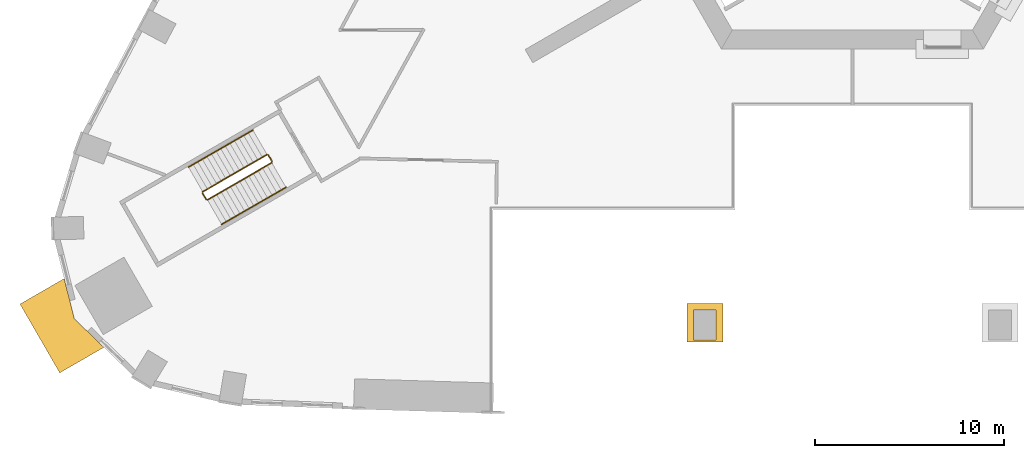
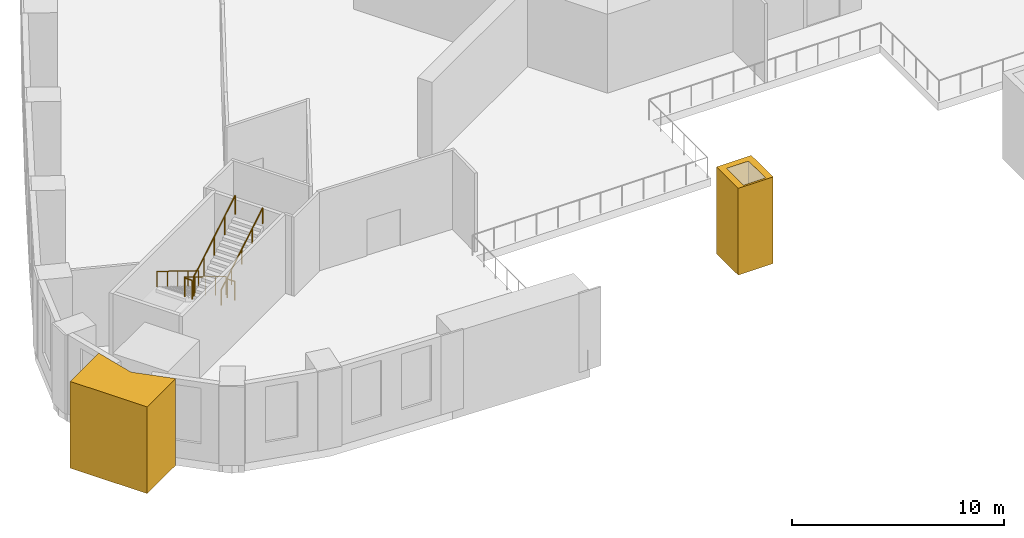
# One storey, part 12 of 16: 6 railings, 2 coverings.
"""IFC4 building model written with IfcOpenShell, lengths in metres."""

from ifc_helpers import new_model, si_unit, direction, frame, origin, origin_2d, place, context, subcontext, project, spatial, polyline, circle, outline, extrude, material, type_object, element, save


model = new_model("IFC4")

# Units and contexts
model_context = context("Model", 3, precision=1e-05, world=origin(), true_north=direction((0.0, 1.0)))
body_context = subcontext(model_context, "Body", "Model", "MODEL_VIEW")
ifc_project = project(units=[si_unit("LENGTHUNIT", "METRE"), si_unit("AREAUNIT", "SQUARE_METRE"), si_unit("VOLUMEUNIT", "CUBIC_METRE"), si_unit("PLANEANGLEUNIT", "RADIAN"), si_unit("MASSUNIT", "GRAM", prefix="KILO")], contexts=[model_context])

# Site, building, storey
site_placement = place(None, origin())
site = spatial("IfcSite", under=ifc_project, at=site_placement, CompositionType="ELEMENT")
building_placement = place(site_placement, origin())
building = spatial("IfcBuilding", under=site, at=building_placement, Name="Entoto Arch Interchange Tower", CompositionType="ELEMENT")
storey_placement = place(building_placement, frame((0.0, 0.0, 15.0)))
storey = spatial("IfcBuildingStorey", under=building, at=storey_placement, Name="L02", CompositionType="ELEMENT", Elevation=15.0)

# Coverings
ifc_material_1 = material(Name="Board-marked precast concrete C50/60", Category="concrete")
covering_type = type_object("IfcCoveringType", Name="PRECAST FRAME COURSE", PredefinedType="CLADDING", material=ifc_material_1)
covering_1_placement = place(storey_placement, frame((0.0, 0.0, -0.449951171875)))
element("IfcCovering", 1, at=covering_1_placement, inside=storey, type_object=covering_type, Name="Podium corner pier SW L02", PredefinedType="CLADDING", context=body_context, shape_type="SweptSolid", body=[
    extrude(outline(polyline([(-44.01611328125, -22.987060546875), (-41.679931640625, -21.638916015625), (-41.14697265625, -23.756103515625), (-39.580078125, -25.27587890625), (-41.916015625, -26.625), (-44.01611328125, -22.987060546875)])), origin(), (0.0, 0.0, 1.0), 5.0),
])
covering_2_placement = place(storey_placement, frame((0.0, 0.0, -0.449951171875)))
element("IfcCovering", 2, at=covering_2_placement, inside=storey, type_object=covering_type, Name="Gate pier L02", PredefinedType="CLADDING", context=body_context, shape_type="SweptSolid", body=[
    extrude(outline(polyline([(-8.75, -22.949951171875), (-6.85009765625, -22.949951171875), (-6.85009765625, -24.9990234375), (-8.75, -24.9990234375), (-8.75, -22.949951171875)]), holes=[polyline([(-8.39990234375, -23.300048828125), (-8.39990234375, -24.89990234375), (-7.199951171875, -24.89990234375), (-7.199951171875, -23.300048828125), (-8.39990234375, -23.300048828125)])]), origin(), (0.0, 0.0, 1.0), 5.0),
])

# Railings
ifc_material_2 = material(Name="Stainless steel 1.4301", Category="steel")
railing_type_1 = type_object("IfcRailingType", Name="STAIR GUARD 1100 STEEL", PredefinedType="GUARDRAIL", material=ifc_material_2)
railing_1_placement = place(storey_placement, frame((-30.95556640625, -15.08349609375, 0.166748046875)))
element("IfcRailing", 3, at=railing_1_placement, inside=storey, type_object=railing_type_1, Name="L02 PST-SW stair guard 1", PredefinedType="GUARDRAIL", context=body_context, shape_type="SweptSolid", body=[
    extrude(circle(Radius=0.02392578125, at=origin_2d()), frame((0.0, 0.0, 1.076171875), z_axis=(-0.744174672596, -0.429646477641, 0.511476256455), x_axis=(0.499997407846, -0.86602690036, 0.0)), (0.0, 0.0, 1.0), 4.561767578125),
    extrude(circle(Radius=0.02099609375, at=origin_2d()), origin(), (0.0, 0.0, 1.0), 1.052001953125),
    extrude(circle(Radius=0.02099609375, at=origin_2d()), frame((-0.8486328125, -0.489990234375, 0.583251953125)), (0.0, 0.0, 1.0), 1.052001953125),
    extrude(circle(Radius=0.02099609375, at=origin_2d()), frame((-1.697265625, -0.97998046875, 1.16650390625)), (0.0, 0.0, 1.0), 1.052001953125),
    extrude(circle(Radius=0.02099609375, at=origin_2d()), frame((-2.546142578125, -1.469970703125, 1.75)), (0.0, 0.0, 1.0), 1.052001953125),
    extrude(circle(Radius=0.02099609375, at=origin_2d()), frame((-3.394775390625, -1.9599609375, 2.333251953125)), (0.0, 0.0, 1.0), 1.052001953125),
])
railing_2_placement = place(storey_placement, frame((-34.36865234375, -17.11181640625, 2.5)))
element("IfcRailing", 4, at=railing_2_placement, inside=storey, type_object=railing_type_1, Name="L02 PST-SW stair guard 2", PredefinedType="GUARDRAIL", context=body_context, shape_type="SweptSolid", body=[
    extrude(circle(Radius=0.02392578125, at=origin_2d()), frame((0.0, 0.0, 1.076171875), z_axis=(0.499880961361, -0.866094119867, 0.0), x_axis=(0.866094119867, 0.499880961361, 0.0)), (0.0, 0.0, 1.0), 0.39990234375),
    extrude(circle(Radius=0.02099609375, at=origin_2d()), origin(), (0.0, 0.0, 1.0), 1.052001953125),
    extrude(circle(Radius=0.02099609375, at=origin_2d()), frame((0.199951171875, -0.346435546875, 0.0)), (0.0, 0.0, 1.0), 1.052001953125),
])
railing_3_placement = place(storey_placement, frame((-34.100341796875, -17.4765625, 2.666748046875)))
element("IfcRailing", 5, at=railing_3_placement, inside=storey, type_object=railing_type_1, Name="L02 PST-SW stair guard 3", PredefinedType="GUARDRAIL", context=body_context, shape_type="SweptSolid", body=[
    extrude(circle(Radius=0.02392578125, at=origin_2d()), frame((0.0, 0.0, 1.076171875), z_axis=(0.744174672596, 0.429646477641, 0.511476256455), x_axis=(-0.499997407846, 0.86602690036, 0.0)), (0.0, 0.0, 1.0), 4.561767578125),
    extrude(circle(Radius=0.02099609375, at=origin_2d()), origin(), (0.0, 0.0, 1.0), 1.052001953125),
    extrude(circle(Radius=0.02099609375, at=origin_2d()), frame((0.8486328125, 0.489990234375, 0.583251953125)), (0.0, 0.0, 1.0), 1.052001953125),
    extrude(circle(Radius=0.02099609375, at=origin_2d()), frame((1.697265625, 0.97998046875, 1.16650390625)), (0.0, 0.0, 1.0), 1.052001953125),
    extrude(circle(Radius=0.02099609375, at=origin_2d()), frame((2.546142578125, 1.469970703125, 1.75)), (0.0, 0.0, 1.0), 1.052001953125),
    extrude(circle(Radius=0.02099609375, at=origin_2d()), frame((3.394775390625, 1.9599609375, 2.333251953125)), (0.0, 0.0, 1.0), 1.052001953125),
])
railing_4_placement = place(storey_placement, frame((-30.88720703125, -15.101806640625, 0.0)))
element("IfcRailing", 6, at=railing_4_placement, inside=storey, type_object=railing_type_1, Name="L02 PST-SW stair guard 4", PredefinedType="GUARDRAIL", context=body_context, shape_type="SweptSolid", body=[
    extrude(circle(Radius=0.02392578125, at=origin_2d()), frame((0.0, 0.0, 1.076171875), z_axis=(0.499880961361, -0.866094119867, 0.0), x_axis=(0.866094119867, 0.499880961361, 0.0)), (0.0, 0.0, 1.0), 0.39990234375),
    extrude(circle(Radius=0.02099609375, at=origin_2d()), origin(), (0.0, 0.0, 1.0), 1.052001953125),
    extrude(circle(Radius=0.02099609375, at=origin_2d()), frame((0.199951171875, -0.346435546875, 0.0)), (0.0, 0.0, 1.0), 1.052001953125),
])
railing_type_2 = type_object("IfcRailingType", Name="STAIR HANDRAIL 900 STEEL", PredefinedType="HANDRAIL", material=ifc_material_2)
railing_5_placement = place(storey_placement, frame((-31.70556640625, -13.784423828125, 0.166748046875)))
element("IfcRailing", 7, at=railing_5_placement, inside=storey, type_object=railing_type_2, Name="L02 PST-SW stair handrail 1", PredefinedType="HANDRAIL", context=body_context, shape_type="SweptSolid", body=[
    extrude(circle(Radius=0.02392578125, at=origin_2d()), frame((0.0, 0.0, 0.8759765625), z_axis=(-0.744174672596, -0.429646477641, 0.511476256455), x_axis=(0.499997407846, -0.86602690036, 0.0)), (0.0, 0.0, 1.0), 4.561767578125),
    extrude(circle(Radius=0.02099609375, at=origin_2d()), origin(), (0.0, 0.0, 1.0), 0.851806640625),
    extrude(circle(Radius=0.02099609375, at=origin_2d()), frame((-0.8486328125, -0.489990234375, 0.583251953125)), (0.0, 0.0, 1.0), 0.851806640625),
    extrude(circle(Radius=0.02099609375, at=origin_2d()), frame((-1.697265625, -0.97998046875, 1.16650390625)), (0.0, 0.0, 1.0), 0.851806640625),
    extrude(circle(Radius=0.02099609375, at=origin_2d()), frame((-2.546142578125, -1.469970703125, 1.75)), (0.0, 0.0, 1.0), 0.851806640625),
    extrude(circle(Radius=0.02099609375, at=origin_2d()), frame((-3.394775390625, -1.9599609375, 2.333251953125)), (0.0, 0.0, 1.0), 0.851806640625),
])
railing_6_placement = place(storey_placement, frame((-33.350341796875, -18.775634765625, 2.666748046875)))
element("IfcRailing", 8, at=railing_6_placement, inside=storey, type_object=railing_type_2, Name="L02 PST-SW stair handrail 2", PredefinedType="HANDRAIL", context=body_context, shape_type="SweptSolid", body=[
    extrude(circle(Radius=0.02392578125, at=origin_2d()), frame((0.0, 0.0, 0.8759765625), z_axis=(0.744174672596, 0.429646477641, 0.511476256455), x_axis=(-0.499997407846, 0.86602690036, 0.0)), (0.0, 0.0, 1.0), 4.561767578125),
    extrude(circle(Radius=0.02099609375, at=origin_2d()), origin(), (0.0, 0.0, 1.0), 0.851806640625),
    extrude(circle(Radius=0.02099609375, at=origin_2d()), frame((0.8486328125, 0.489990234375, 0.583251953125)), (0.0, 0.0, 1.0), 0.851806640625),
    extrude(circle(Radius=0.02099609375, at=origin_2d()), frame((1.697265625, 0.97998046875, 1.16650390625)), (0.0, 0.0, 1.0), 0.851806640625),
    extrude(circle(Radius=0.02099609375, at=origin_2d()), frame((2.546142578125, 1.469970703125, 1.75)), (0.0, 0.0, 1.0), 0.851806640625),
    extrude(circle(Radius=0.02099609375, at=origin_2d()), frame((3.394775390625, 1.9599609375, 2.333251953125)), (0.0, 0.0, 1.0), 0.851806640625),
])

save(model, "model.ifc")
